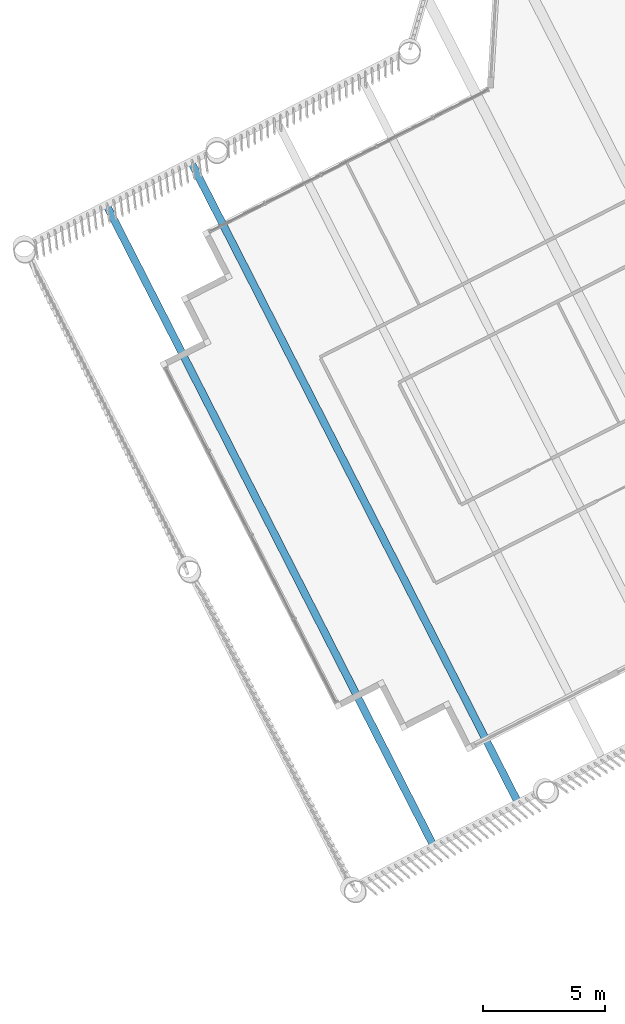
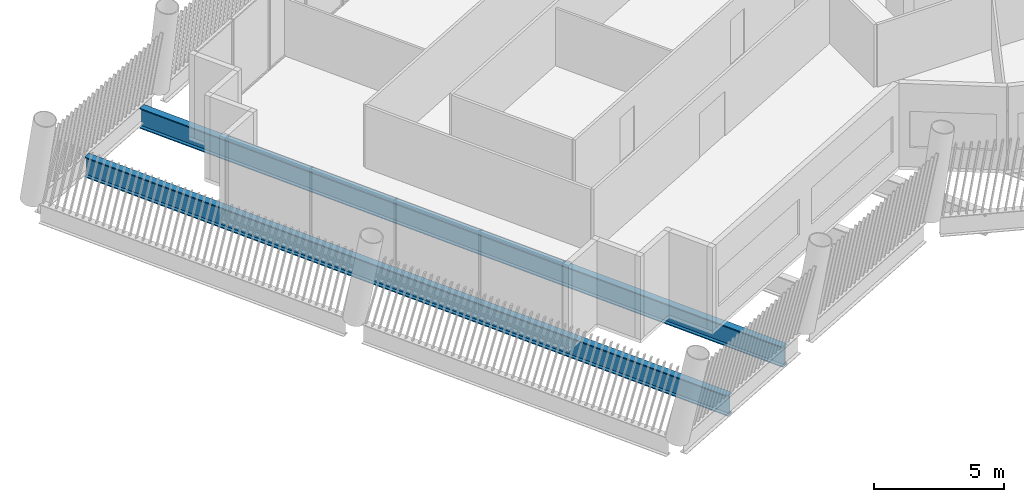
# One storey, part 5 of 28: 2 beams.
"""IFC4 building model written with IfcOpenShell, lengths in metres."""

from ifc_helpers import new_model, si_unit, direction, frame, origin, origin_2d, place, context, subcontext, project, spatial, i_section, extrude, material, material_profile, profile_set, type_object, element, save


model = new_model("IFC4")

# Units and contexts
model_context = context("Model", 3, precision=1e-05, world=origin(), true_north=direction((0.0, 1.0)))
body_context = subcontext(model_context, "Body", "Model", "MODEL_VIEW")
ifc_project = project(units=[si_unit("LENGTHUNIT", "METRE"), si_unit("AREAUNIT", "SQUARE_METRE"), si_unit("VOLUMEUNIT", "CUBIC_METRE"), si_unit("PLANEANGLEUNIT", "RADIAN"), si_unit("MASSUNIT", "GRAM", prefix="KILO")], contexts=[model_context])

# Site, building, storey
site_placement = place(None, origin())
site = spatial("IfcSite", under=ifc_project, at=site_placement, CompositionType="ELEMENT")
building_placement = place(site_placement, origin())
building = spatial("IfcBuilding", under=site, at=building_placement, Name="Tarsis Ring Headquarters", CompositionType="ELEMENT")
storey_placement = place(building_placement, frame((0.0, 0.0, 394.39990234375)))
storey = spatial("IfcBuildingStorey", under=building, at=storey_placement, Name="L93", CompositionType="ELEMENT", Elevation=394.39990234375)

# Beams
ifc_material = material(Name="Structural steel S355", Category="steel")
ifc_material_profile = material_profile(ifc_material, i_section(OverallWidth=0.309814453125, OverallDepth=0.949951171875, WebThickness=0.0244140625, FlangeThickness=0.0439453125, at=origin_2d()), Name="W36x256")
ifc_profile_set = profile_set([ifc_material_profile], Name="Structural steel S355")
beam_type = type_object("IfcBeamType", Name="FB Floor beam W36x256", PredefinedType="JOIST", material=ifc_profile_set)
for number, where, z_axis, x_axis, name in (
    (1, (-37.967529296875, -2.8212890625, -0.635009765625), (0.45460477256, -0.890693269743, 0.0), (0.890693269743, 0.45460477256, 0.0), "Floor beam FB11"),
    (2, (-41.44140625, -4.59423828125, -0.635009765625), (0.454611339174, -0.89068991815, 0.0), (0.89068991815, 0.454611339174, 0.0), "Floor beam FB11"),
):
    element("IfcBeam", number, at=place(storey_placement, frame(where, z_axis=z_axis, x_axis=x_axis)), inside=storey, type_object=beam_type, Name=name, PredefinedType="JOIST", context=body_context, shape_type="SweptSolid", body=[
        extrude(i_section(OverallWidth=0.309814453125, OverallDepth=0.949951171875, WebThickness=0.0244140625, FlangeThickness=0.0439453125, at=origin_2d()), origin(), (0.0, 0.0, 1.0), 29.495361328125),
    ])

save(model, "model.ifc")
